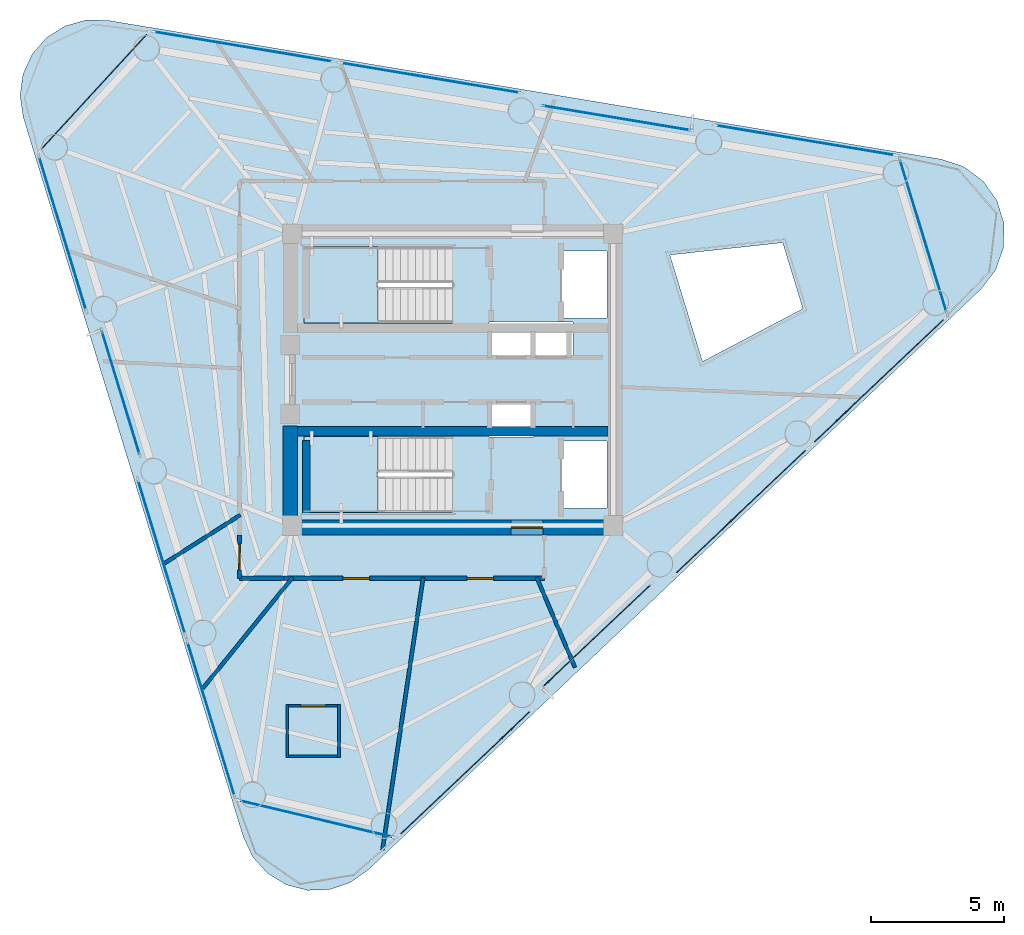
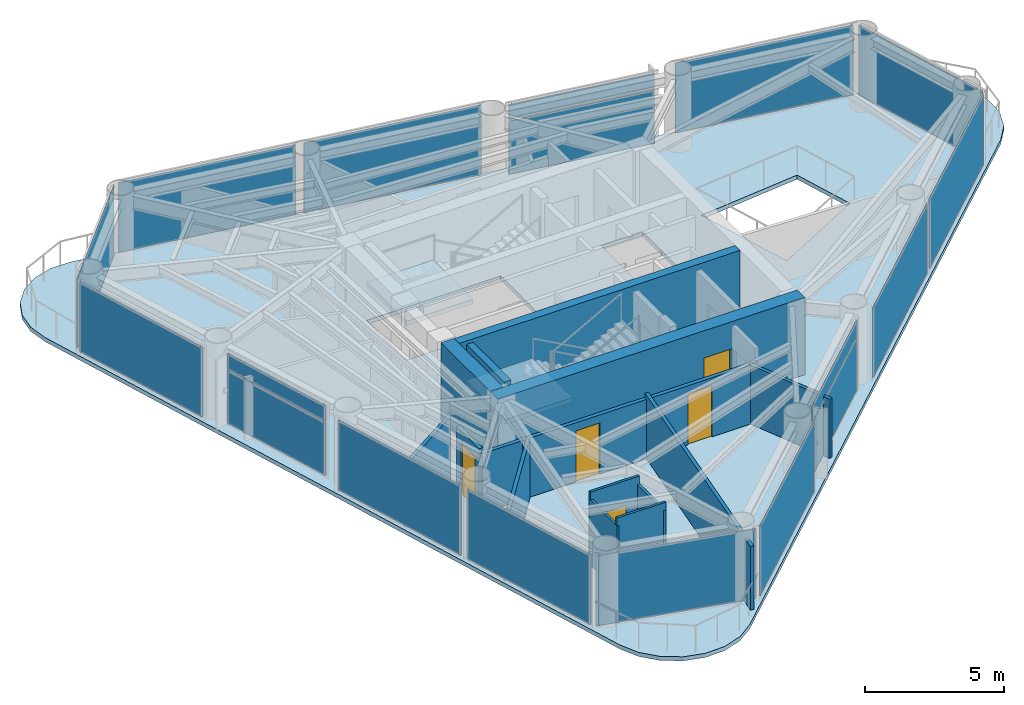
# One storey, part 4 of 8: 18 plates, 15 walls, 5 doors, 3 slabs, 5 openings, 17 elements without a shape of their own.
"""IFC4 building model written with IfcOpenShell, lengths in metres."""

from ifc_helpers import new_model, si_unit, direction, frame, frame_2d, origin, origin_2d, place, context, subcontext, project, spatial, polyline, rectangle, outline, extrude, source, transform, mapped, material, layer, layer_set, type_object, element, fill, aggregate, save


model = new_model("IFC4")

# Units and contexts
model_context = context("Model", 3, precision=1e-05, world=origin(), true_north=direction((0.0, 1.0)))
body_context = subcontext(model_context, "Body", "Model", "MODEL_VIEW")
ifc_project = project(units=[si_unit("LENGTHUNIT", "METRE"), si_unit("AREAUNIT", "SQUARE_METRE"), si_unit("VOLUMEUNIT", "CUBIC_METRE"), si_unit("PLANEANGLEUNIT", "RADIAN"), si_unit("MASSUNIT", "GRAM", prefix="KILO")], contexts=[model_context])

# Site, building, storey
site_placement = place(None, origin())
site = spatial("IfcSite", under=ifc_project, at=site_placement, CompositionType="ELEMENT")
building_placement = place(site_placement, origin())
building = spatial("IfcBuilding", under=site, at=building_placement, Name="Yunling Apex Tower", CompositionType="ELEMENT")
storey_placement = place(building_placement, frame((0.0, 0.0, 235.449951171875)))
storey = spatial("IfcBuildingStorey", under=building, at=storey_placement, Name="L57", CompositionType="ELEMENT", Elevation=235.449951171875)

# Slab
ifc_material_1 = material(Name="Concrete C40", Category="concrete")
ifc_layer_1 = layer(ifc_material_1, 0.155029296875)
ifc_layer_set_1 = layer_set([ifc_layer_1], Name="Concrete C40")
slab_type_1 = type_object("IfcSlabType", Name="SL-FLR-3", PredefinedType="FLOOR", material=ifc_layer_set_1)
slab_1_placement = place(storey_placement, frame((0.0, 0.0, -0.179931640625)))
element("IfcSlab", 1, at=slab_1_placement, inside=storey, type_object=slab_type_1, Name="L57 Composite Tower Floor Slab", PredefinedType="FLOOR", context=body_context, shape_type="SweptSolid", body=[
    extrude(outline(polyline([(-7.894287109375, -17.243408203125), (-7.54052734375, -17.991455078125), (-6.9873046875, -18.60693359375), (-6.281005859375, -19.0380859375), (-5.480712890625, -19.249267578125), (-4.65380859375, -19.22216796875), (-3.868896484375, -18.959716796875), (-3.192138671875, -18.483154296875), (19.91064453125, 3.409912109375), (20.459716796875, 4.126220703125), (20.7578125, 4.977783203125), (20.776123046875, 5.880126953125), (20.51220703125, 6.7431640625), (19.99267578125, 7.48095703125), (19.26904296875, 8.02001953125), (18.41357421875, 8.306884765625), (-12.982177734375, 13.538330078125), (-13.8095703125, 13.5546875), (-14.60693359375, 13.33349609375), (-15.307861328125, 12.8935546875), (-15.853271484375, 12.27099609375), (-16.197509765625, 11.5185546875), (-16.31201171875, 10.698974609375), (-16.187255859375, 9.881103515625), (-7.894287109375, -17.243408203125)]), holes=[polyline([(8.18408203125, 4.697998046875), (12.434326171875, 5.160888671875), (13.194580078125, 2.674560546875), (9.412109375, 0.681640625), (8.18408203125, 4.697998046875)]), polyline([(4.090087890625, -2.320068359375), (5.81005859375, -2.320068359375), (5.81005859375, -4.840087890625), (4.090087890625, -4.840087890625), (4.090087890625, -2.320068359375)]), polyline([(4.090087890625, 4.840087890625), (5.81005859375, 4.840087890625), (5.81005859375, 2.320068359375), (4.090087890625, 2.320068359375), (4.090087890625, 4.840087890625)]), polyline([(1.364990234375, 0.794921875), (1.364990234375, 2.1650390625), (4.534912109375, 2.1650390625), (4.534912109375, 0.794921875), (1.364990234375, 0.794921875)]), polyline([(1.364990234375, -0.794921875), (3.034912109375, -0.794921875), (3.034912109375, -2.1650390625), (1.364990234375, -2.1650390625), (1.364990234375, -0.794921875)]), polyline([(-0.010009765625, -5.010009765625), (-5.60009765625, -5.010009765625), (-5.60009765625, -2.139892578125), (-0.010009765625, -2.139892578125), (-0.010009765625, -5.010009765625)]), polyline([(-0.010009765625, 2.139892578125), (-5.60009765625, 2.139892578125), (-5.60009765625, 5.010009765625), (-0.010009765625, 5.010009765625), (-0.010009765625, 2.139892578125)])]), origin(), (0.0, 0.0, 1.0), 0.179931640625),
])

# Stair, slab
stair_type = type_object("IfcStairType", Name="ST-TWR-3", PredefinedType="HALF_TURN_STAIR", material=ifc_material_1)
stair_1_placement = place(storey_placement, origin())
stair_1 = element("IfcStair", 2, at=stair_1_placement, inside=storey, type_object=stair_type, Name="L57 North Core Smokeproof Exit Stair ST-1", PredefinedType="HALF_TURN_STAIR")
ifc_layer_2 = layer(ifc_material_1, 0.195068359375)
ifc_layer_set_2 = layer_set([ifc_layer_2], Name="Concrete C40")
slab_type_2 = type_object("IfcSlabType", Name="SL-LND-1", PredefinedType="LANDING", material=ifc_layer_set_2)
slab_2_placement = place(storey_placement, frame((0.0, 0.0, 1.505126953125)))
slab_2 = element("IfcSlab", 3, at=slab_2_placement, type_object=slab_type_2, Name="ST-1 landing 1", PredefinedType="LANDING", context=body_context, shape_type="SweptSolid", body=[
    extrude(outline(polyline([(-2.81005859375, 5.010009765625), (-5.60009765625, 5.010009765625), (-5.60009765625, 2.139892578125), (-2.81005859375, 2.139892578125), (-2.81005859375, 5.010009765625)])), origin(), (0.0, 0.0, 1.0), 0.19482421875),
])
aggregate(stair_1, [slab_2])

stair_2_placement = place(storey_placement, origin())
stair_2 = element("IfcStair", 4, at=stair_2_placement, inside=storey, type_object=stair_type, Name="L57 South Core Smokeproof Exit Stair ST-2", PredefinedType="HALF_TURN_STAIR")
slab_3_placement = place(storey_placement, frame((0.0, 0.0, 1.505126953125)))
slab_3 = element("IfcSlab", 5, at=slab_3_placement, type_object=slab_type_2, Name="ST-2 landing 1", PredefinedType="LANDING", context=body_context, shape_type="SweptSolid", body=[
    extrude(outline(polyline([(-2.81005859375, -2.139892578125), (-5.60009765625, -2.139892578125), (-5.60009765625, -5.010009765625), (-2.81005859375, -5.010009765625), (-2.81005859375, -2.139892578125)])), origin(), (0.0, 0.0, 1.0), 0.19482421875),
])
aggregate(stair_2, [slab_3])

# Curtain wall, plate
ifc_material_2 = material(Name="Bronze anodised aluminium", Category="aluminium")
ifc_layer_3 = layer(ifc_material_2, 0.219970703125)
ifc_layer_set_3 = layer_set([ifc_layer_3], Name="Bronze anodised aluminium")
curtain_wall_type = type_object("IfcCurtainWallType", Name="CW-SYS-4", PredefinedType="NOTDEFINED", material=ifc_layer_set_3)
curtain_wall_1_placement = place(storey_placement, origin())
curtain_wall_1 = element("IfcCurtainWall", 6, at=curtain_wall_1_placement, inside=storey, type_object=curtain_wall_type, Name="CW-L57-F1-B2", PredefinedType="NOTDEFINED")
ifc_material_3 = material(Name="Bronze tinted low-E glass", Category="glass")
ifc_layer_4 = layer(ifc_material_3, 0.030029296875)
ifc_layer_set_4 = layer_set([ifc_layer_4], Name="Bronze tinted low-E glass")
plate_type = type_object("IfcPlateType", Name="CW-PNL-4", PredefinedType="CURTAIN_PANEL", material=ifc_layer_set_4)
shared_shape_1 = source(origin(), body_context, "Body", "SweptSolid", [
    extrude(rectangle(XDim=5.617431640625, YDim=0.030029296875, at=origin_2d()), origin(), (0.0, 0.0, 1.0), 2.34326171875),
])
plate_1_placement = place(storey_placement, frame((5.429931640625, -9.651123046875, 0.072021484375), z_axis=(0.0, 0.0, 1.0), x_axis=(0.725848686167, 0.687854406681, 0.0)))
plate_1 = element("IfcPlate", 7, at=plate_1_placement, type_object=plate_type, Name="CW-SYS-4 panel 1.1", PredefinedType="CURTAIN_PANEL", context=body_context, shape_type="MappedRepresentation", body=[
    mapped(shared_shape_1, transform((0.0, 0.0, 0.0), scale=1.0)),
])

curtain_wall_2_placement = place(storey_placement, origin())
curtain_wall_2 = element("IfcCurtainWall", 8, at=curtain_wall_2_placement, inside=storey, type_object=curtain_wall_type, Name="CW-L57-F2-B2", PredefinedType="NOTDEFINED")
plate_2_placement = place(storey_placement, frame((6.168701171875, 9.860595703125, 0.072021484375), z_axis=(0.0, 0.0, 1.0), x_axis=(-0.986398614513, 0.164370840747, 0.0)))
plate_2 = element("IfcPlate", 9, at=plate_2_placement, type_object=plate_type, Name="CW-SYS-4 panel 1.1", PredefinedType="CURTAIN_PANEL", context=body_context, shape_type="MappedRepresentation", body=[
    mapped(shared_shape_1, transform((0.0, 0.0, 0.0), scale=1.0)),
])

# Plate
shared_shape_2 = source(origin(), body_context, "Body", "SweptSolid", [
    extrude(rectangle(XDim=5.617431640625, YDim=0.030029296875, at=origin_2d()), origin(), (0.0, 0.0, 1.0), 0.668701171875),
])
plate_3_placement = place(storey_placement, frame((5.429931640625, -9.651123046875, 2.4794921875), z_axis=(0.0, 0.0, 1.0), x_axis=(0.725848686167, 0.687854406681, 0.0)))
plate_3 = element("IfcPlate", 10, at=plate_3_placement, type_object=plate_type, Name="CW-SYS-4 panel 1.2", PredefinedType="CURTAIN_PANEL", context=body_context, shape_type="MappedRepresentation", body=[
    mapped(shared_shape_2, transform((0.0, 0.0, 0.0), scale=1.0)),
])

aggregate(curtain_wall_1, [plate_1, plate_3])

plate_4_placement = place(storey_placement, frame((6.168701171875, 9.860595703125, 2.4794921875), z_axis=(0.0, 0.0, 1.0), x_axis=(-0.986398614513, 0.164370840747, 0.0)))
plate_4 = element("IfcPlate", 11, at=plate_4_placement, type_object=plate_type, Name="CW-SYS-4 panel 1.2", PredefinedType="CURTAIN_PANEL", context=body_context, shape_type="MappedRepresentation", body=[
    mapped(shared_shape_2, transform((0.0, 0.0, 0.0), scale=1.0)),
])

aggregate(curtain_wall_2, [plate_2, plate_4])

# Curtain wall, plate
curtain_wall_3_placement = place(storey_placement, origin())
curtain_wall_3 = element("IfcCurtainWall", 12, at=curtain_wall_3_placement, inside=storey, type_object=curtain_wall_type, Name="CW-L57-F1-B1", PredefinedType="NOTDEFINED")
shared_shape_3 = source(origin(), body_context, "Body", "SweptSolid", [
    extrude(rectangle(XDim=6.857421875, YDim=0.030029296875, at=origin_2d()), origin(), (0.0, 0.0, 1.0), 3.075927734375),
])
plate_5_placement = place(storey_placement, frame((0.4658203125, -14.823974609375, 0.072265625), z_axis=(0.0, 0.0, 1.0), x_axis=(0.72585471909, 0.687848040467, 0.0)))
plate_5 = element("IfcPlate", 13, at=plate_5_placement, type_object=plate_type, Name="CW-SYS-4 panel 1.1", PredefinedType="CURTAIN_PANEL", context=body_context, shape_type="MappedRepresentation", body=[
    mapped(shared_shape_3, transform((0.0, 0.0, 0.0), scale=1.0)),
])
aggregate(curtain_wall_3, [plate_5])

curtain_wall_4_placement = place(storey_placement, origin())
curtain_wall_4 = element("IfcCurtainWall", 14, at=curtain_wall_4_placement, inside=storey, type_object=curtain_wall_type, Name="CW-L57-F1-B3", PredefinedType="NOTDEFINED")
plate_6_placement = place(storey_placement, frame((10.862060546875, -4.97216796875, 0.072265625), z_axis=(0.0, 0.0, 1.0), x_axis=(0.72585471909, 0.687848040467, 0.0)))
plate_6 = element("IfcPlate", 15, at=plate_6_placement, type_object=plate_type, Name="CW-SYS-4 panel 1.1", PredefinedType="CURTAIN_PANEL", context=body_context, shape_type="MappedRepresentation", body=[
    mapped(shared_shape_3, transform((0.0, 0.0, 0.0), scale=1.0)),
])
aggregate(curtain_wall_4, [plate_6])

curtain_wall_5_placement = place(storey_placement, origin())
curtain_wall_5 = element("IfcCurtainWall", 16, at=curtain_wall_5_placement, inside=storey, type_object=curtain_wall_type, Name="CW-L57-F1-B4", PredefinedType="NOTDEFINED")
plate_7_placement = place(storey_placement, frame((16.060302734375, -0.046142578125, 0.072265625), z_axis=(0.0, 0.0, 1.0), x_axis=(0.72585471909, 0.687848040467, 0.0)))
plate_7 = element("IfcPlate", 17, at=plate_7_placement, type_object=plate_type, Name="CW-SYS-4 panel 1.1", PredefinedType="CURTAIN_PANEL", context=body_context, shape_type="MappedRepresentation", body=[
    mapped(shared_shape_3, transform((0.0, 0.0, 0.0), scale=1.0)),
])
aggregate(curtain_wall_5, [plate_7])

curtain_wall_6_placement = place(storey_placement, origin())
curtain_wall_6 = element("IfcCurtainWall", 18, at=curtain_wall_6_placement, inside=storey, type_object=curtain_wall_type, Name="CW-L57-F2-B1", PredefinedType="NOTDEFINED")
plate_8_placement = place(storey_placement, frame((13.288818359375, 9.01904296875, 0.072265625), z_axis=(0.0, 0.0, 1.0), x_axis=(-0.9864016432, 0.164352664392, 0.0)))
plate_8 = element("IfcPlate", 19, at=plate_8_placement, type_object=plate_type, Name="CW-SYS-4 panel 1.1", PredefinedType="CURTAIN_PANEL", context=body_context, shape_type="MappedRepresentation", body=[
    mapped(shared_shape_3, transform((0.0, 0.0, 0.0), scale=1.0)),
])
aggregate(curtain_wall_6, [plate_8])

curtain_wall_7_placement = place(storey_placement, origin())
curtain_wall_7 = element("IfcCurtainWall", 20, at=curtain_wall_7_placement, inside=storey, type_object=curtain_wall_type, Name="CW-L57-F2-B3", PredefinedType="NOTDEFINED")
plate_9_placement = place(storey_placement, frame((-0.83935546875, 11.373046875, 0.072265625), z_axis=(0.0, 0.0, 1.0), x_axis=(-0.9864016432, 0.164352664392, 0.0)))
plate_9 = element("IfcPlate", 21, at=plate_9_placement, type_object=plate_type, Name="CW-SYS-4 panel 1.1", PredefinedType="CURTAIN_PANEL", context=body_context, shape_type="MappedRepresentation", body=[
    mapped(shared_shape_3, transform((0.0, 0.0, 0.0), scale=1.0)),
])
aggregate(curtain_wall_7, [plate_9])

curtain_wall_8_placement = place(storey_placement, origin())
curtain_wall_8 = element("IfcCurtainWall", 22, at=curtain_wall_8_placement, inside=storey, type_object=curtain_wall_type, Name="CW-L57-F2-B4", PredefinedType="NOTDEFINED")
plate_10_placement = place(storey_placement, frame((-7.9033203125, 12.550048828125, 0.072265625), z_axis=(0.0, 0.0, 1.0), x_axis=(-0.9864016432, 0.164352664392, 0.0)))
plate_10 = element("IfcPlate", 23, at=plate_10_placement, type_object=plate_type, Name="CW-SYS-4 panel 1.1", PredefinedType="CURTAIN_PANEL", context=body_context, shape_type="MappedRepresentation", body=[
    mapped(shared_shape_3, transform((0.0, 0.0, 0.0), scale=1.0)),
])
aggregate(curtain_wall_8, [plate_10])

curtain_wall_9_placement = place(storey_placement, origin())
curtain_wall_9 = element("IfcCurtainWall", 24, at=curtain_wall_9_placement, inside=storey, type_object=curtain_wall_type, Name="CW-L57-CRN1", PredefinedType="NOTDEFINED")
shared_shape_4 = source(origin(), body_context, "Body", "SweptSolid", [
    extrude(rectangle(XDim=6.108642578125, YDim=0.030029296875, at=origin_2d()), origin(), (0.0, 0.0, 1.0), 3.075927734375),
])
plate_11_placement = place(storey_placement, frame((17.7314453125, 5.421142578125, 0.072265625), z_axis=(0.0, 0.0, 1.0), x_axis=(-0.292369275379, 0.956305498685, 0.0)))
plate_11 = element("IfcPlate", 25, at=plate_11_placement, type_object=plate_type, Name="CW-SYS-4 panel 1.1", PredefinedType="CURTAIN_PANEL", context=body_context, shape_type="MappedRepresentation", body=[
    mapped(shared_shape_4, transform((0.0, 0.0, 0.0), scale=1.0)),
])
aggregate(curtain_wall_9, [plate_11])

curtain_wall_10_placement = place(storey_placement, origin())
curtain_wall_10 = element("IfcCurtainWall", 26, at=curtain_wall_10_placement, inside=storey, type_object=curtain_wall_type, Name="CW-L57-CRN2", PredefinedType="NOTDEFINED")
shared_shape_5 = source(origin(), body_context, "Body", "SweptSolid", [
    extrude(rectangle(XDim=6.033203125, YDim=0.030029296875, at=origin_2d()), origin(), (0.0, 0.0, 1.0), 3.075927734375),
])
plate_12_placement = place(storey_placement, frame((-13.529052734375, 10.84521484375, 0.072265625), z_axis=(0.0, 0.0, 1.0), x_axis=(-0.676835909266, -0.736133922549, 0.0)))
plate_12 = element("IfcPlate", 27, at=plate_12_placement, type_object=plate_type, Name="CW-SYS-4 panel 1.1", PredefinedType="CURTAIN_PANEL", context=body_context, shape_type="MappedRepresentation", body=[
    mapped(shared_shape_5, transform((0.0, 0.0, 0.0), scale=1.0)),
])
aggregate(curtain_wall_10, [plate_12])

curtain_wall_11_placement = place(storey_placement, origin())
curtain_wall_11 = element("IfcCurtainWall", 28, at=curtain_wall_11_placement, inside=storey, type_object=curtain_wall_type, Name="CW-L57-F3-B1", PredefinedType="NOTDEFINED")
shared_shape_6 = source(origin(), body_context, "Body", "SweptSolid", [
    extrude(rectangle(XDim=6.077880859375, YDim=0.030029296875, at=origin_2d()), origin(), (0.0, 0.0, 1.0), 3.075927734375),
])
plate_13_placement = place(storey_placement, frame((-14.705810546875, 5.51416015625, 0.072265625), z_axis=(0.0, 0.0, 1.0), x_axis=(0.29237206414, -0.956304646078, 0.0)))
plate_13 = element("IfcPlate", 29, at=plate_13_placement, type_object=plate_type, Name="CW-SYS-4 panel 1.1", PredefinedType="CURTAIN_PANEL", context=body_context, shape_type="MappedRepresentation", body=[
    mapped(shared_shape_6, transform((0.0, 0.0, 0.0), scale=1.0)),
])
aggregate(curtain_wall_11, [plate_13])

curtain_wall_12_placement = place(storey_placement, origin())
curtain_wall_12 = element("IfcCurtainWall", 30, at=curtain_wall_12_placement, inside=storey, type_object=curtain_wall_type, Name="CW-L57-F3-B3", PredefinedType="NOTDEFINED")
plate_14_placement = place(storey_placement, frame((-10.973876953125, -6.69189453125, 0.072265625), z_axis=(0.0, 0.0, 1.0), x_axis=(0.29237206414, -0.956304646078, 0.0)))
plate_14 = element("IfcPlate", 31, at=plate_14_placement, type_object=plate_type, Name="CW-SYS-4 panel 1.1", PredefinedType="CURTAIN_PANEL", context=body_context, shape_type="MappedRepresentation", body=[
    mapped(shared_shape_6, transform((0.0, 0.0, 0.0), scale=1.0)),
])
aggregate(curtain_wall_12, [plate_14])

curtain_wall_13_placement = place(storey_placement, origin())
curtain_wall_13 = element("IfcCurtainWall", 32, at=curtain_wall_13_placement, inside=storey, type_object=curtain_wall_type, Name="CW-L57-F3-B4", PredefinedType="NOTDEFINED")
plate_15_placement = place(storey_placement, frame((-9.108154296875, -12.794921875, 0.072265625), z_axis=(0.0, 0.0, 1.0), x_axis=(0.29237206414, -0.956304646078, 0.0)))
plate_15 = element("IfcPlate", 33, at=plate_15_placement, type_object=plate_type, Name="CW-SYS-4 panel 1.1", PredefinedType="CURTAIN_PANEL", context=body_context, shape_type="MappedRepresentation", body=[
    mapped(shared_shape_6, transform((0.0, 0.0, 0.0), scale=1.0)),
])
aggregate(curtain_wall_13, [plate_15])

# Curtain wall, plates
curtain_wall_14_placement = place(storey_placement, origin())
curtain_wall_14 = element("IfcCurtainWall", 34, at=curtain_wall_14_placement, inside=storey, type_object=curtain_wall_type, Name="CW-L57-F3-B2", PredefinedType="NOTDEFINED")
shared_shape_7 = source(origin(), body_context, "Body", "SweptSolid", [
    extrude(rectangle(XDim=4.837890625, YDim=0.030029296875, at=origin_2d()), origin(), (0.0, 0.0, 1.0), 2.34326171875),
])
plate_16_placement = place(storey_placement, frame((-12.5146484375, -0.489501953125, 0.072021484375), z_axis=(0.0, 0.0, 1.0), x_axis=(0.29237304737, -0.956304345474, 0.0)))
plate_16 = element("IfcPlate", 35, at=plate_16_placement, type_object=plate_type, Name="CW-SYS-4 panel 1.1", PredefinedType="CURTAIN_PANEL", context=body_context, shape_type="MappedRepresentation", body=[
    mapped(shared_shape_7, transform((0.0, 0.0, 0.0), scale=1.0)),
])
shared_shape_8 = source(origin(), body_context, "Body", "SweptSolid", [
    extrude(rectangle(XDim=4.837890625, YDim=0.030029296875, at=origin_2d()), origin(), (0.0, 0.0, 1.0), 0.668701171875),
])
plate_17_placement = place(storey_placement, frame((-12.5146484375, -0.489501953125, 2.4794921875), z_axis=(0.0, 0.0, 1.0), x_axis=(0.29237304737, -0.956304345474, 0.0)))
plate_17 = element("IfcPlate", 36, at=plate_17_placement, type_object=plate_type, Name="CW-SYS-4 panel 1.2", PredefinedType="CURTAIN_PANEL", context=body_context, shape_type="MappedRepresentation", body=[
    mapped(shared_shape_8, transform((0.0, 0.0, 0.0), scale=1.0)),
])
aggregate(curtain_wall_14, [plate_16, plate_17])

# Curtain wall, plate
curtain_wall_15_placement = place(storey_placement, origin())
curtain_wall_15 = element("IfcCurtainWall", 37, at=curtain_wall_15_placement, inside=storey, type_object=curtain_wall_type, Name="CW-L57-CRN3", PredefinedType="NOTDEFINED")
shared_shape_9 = source(origin(), body_context, "Body", "SweptSolid", [
    extrude(rectangle(XDim=6.032958984375, YDim=0.030029296875, at=origin_2d()), origin(), (0.0, 0.0, 1.0), 3.075927734375),
])
plate_18_placement = place(storey_placement, frame((-5.151611328125, -16.556396484375, 0.072265625), z_axis=(0.0, 0.0, 1.0), x_axis=(0.97276120775, -0.231809474992, 0.0)))
plate_18 = element("IfcPlate", 38, at=plate_18_placement, type_object=plate_type, Name="CW-SYS-4 panel 1.1", PredefinedType="CURTAIN_PANEL", context=body_context, shape_type="MappedRepresentation", body=[
    mapped(shared_shape_9, transform((0.0, 0.0, 0.0), scale=1.0)),
])
aggregate(curtain_wall_15, [plate_18])

# Wall, opening, door
ifc_layer_5 = layer(ifc_material_1, 0.550048828125)
ifc_layer_set_5 = layer_set([ifc_layer_5], Name="Concrete C40")
wall_type_1 = type_object("IfcWallType", Name="WL-COR-3", PredefinedType="SHEAR", material=ifc_layer_set_5)
wall_1_placement = place(storey_placement, frame((-6.39990234375, -5.574951171875, 0.0), z_axis=(0.0, 0.0, 1.0), x_axis=(1.0, 0.0, 0.0)))
wall_1 = element("IfcWall", 39, at=wall_1_placement, inside=storey, type_object=wall_type_1, Name="L57 South Core Shear Wall", PredefinedType="SHEAR", context=body_context, shape_type="SweptSolid", body=[
    extrude(rectangle(XDim=12.7998046875, YDim=0.550048828125, at=frame_2d((6.39990234375, 0.0))), origin(), (0.0, 0.0, 1.0), 3.400146484375),
])
opening_1_placement = place(wall_1_placement, frame((8.60009765625, 0.0, 0.0)))
opening_1 = element("IfcOpeningElement", 40, at=opening_1_placement, cuts=wall_1, Name="Opening DR-FFL-1", PredefinedType="OPENING", context=body_context, shape_type="SweptSolid", body=[
    extrude(rectangle(XDim=1.199951171875, YDim=2.199951171875, at=frame_2d((0.60009765625, 1.10009765625))), frame((0.0, 0.28515625, 0.0), z_axis=(0.0, -1.0, 0.0), x_axis=(1.0, 0.0, 0.0)), (0.0, 0.0, 1.0), 0.570068359375),
])
ifc_material_4 = material(Name="Steel Q355B", Category="steel")
door_type_1 = type_object("IfcDoorType", Name="DR-FFL-1", OperationType="NOTDEFINED", PredefinedType="DOOR", material=ifc_material_4)
door_1_placement = place(opening_1_placement, origin())
door_1 = element("IfcDoor", 41, at=door_1_placement, inside=storey, type_object=door_type_1, Name="L57 South Firefighting Lobby Door", OperationType="SINGLE_SWING_RIGHT", OverallHeight=2.199951171875, OverallWidth=1.199951171875, PredefinedType="DOOR", context=body_context, shape_type="SweptSolid", body=[
    extrude(rectangle(XDim=1.199951171875, YDim=2.199951171875, at=frame_2d((0.60009765625, 1.10009765625))), frame((0.0, 0.02490234375, 0.0), z_axis=(0.0, -1.0, 0.0), x_axis=(1.0, 0.0, 0.0)), (0.0, 0.0, 1.0), 0.050048828125),
])
fill(opening_1, door_1)

# Walls
wall_2_placement = place(storey_placement, frame((-6.125, -5.300048828125, 0.0), z_axis=(0.0, 0.0, 1.0), x_axis=(0.0, 1.0, 0.0)))
element("IfcWall", 42, at=wall_2_placement, inside=storey, type_object=wall_type_1, Name="L57 West-South Core Shear Wall", PredefinedType="SHEAR", context=body_context, shape_type="SweptSolid", body=[
    extrude(rectangle(XDim=3.550048828125, YDim=0.550048828125, at=frame_2d((1.77490234375, 0.0))), origin(), (0.0, 0.0, 1.0), 3.400146484375),
])
ifc_layer_6 = layer(ifc_material_1, 0.360107421875)
ifc_layer_set_6 = layer_set([ifc_layer_6], Name="Concrete C40")
wall_type_2 = type_object("IfcWallType", Name="WL-COR-4", PredefinedType="SHEAR", material=ifc_layer_set_6)
wall_3_placement = place(storey_placement, frame((-5.85009765625, -1.93994140625, 0.0), z_axis=(0.0, 0.0, 1.0), x_axis=(1.0, 0.0, 0.0)))
element("IfcWall", 43, at=wall_3_placement, inside=storey, type_object=wall_type_2, Name="L57 South Internal Core Shear Wall", PredefinedType="SHEAR", context=body_context, shape_type="SweptSolid", body=[
    extrude(rectangle(XDim=11.7001953125, YDim=0.360107421875, at=frame_2d((5.85009765625, 0.0))), origin(), (0.0, 0.0, 1.0), 3.400146484375),
])
ifc_layer_7 = layer(ifc_material_1, 0.280029296875)
ifc_layer_set_7 = layer_set([ifc_layer_7], Name="Concrete C40")
wall_type_3 = type_object("IfcWallType", Name="WL-COR-8", PredefinedType="SHEAR", material=ifc_layer_set_7)
wall_4_placement = place(storey_placement, frame((-5.52001953125, -5.050048828125, 0.0), z_axis=(0.0, 0.0, 1.0), x_axis=(0.0, 1.0, 0.0)))
element("IfcWall", 44, at=wall_4_placement, inside=storey, type_object=wall_type_3, Name="L57 ST-2 West Landing Bearing Wall", PredefinedType="SHEAR", context=body_context, shape_type="SweptSolid", body=[
    extrude(rectangle(XDim=2.75, YDim=0.280029296875, at=frame_2d((1.375, 0.0))), origin(), (0.0, 0.0, 1.0), 3.400146484375),
])

# Wall, openings, doors
ifc_material_5 = material(Name="Gypsum board acoustic partition")
ifc_layer_8 = layer(ifc_material_5, 0.159912109375)
ifc_layer_set_8 = layer_set([ifc_layer_8], Name="Gypsum board acoustic partition")
wall_type_4 = type_object("IfcWallType", Name="WL-PRT-1", PredefinedType="PARTITIONING", material=ifc_layer_set_8)
wall_5_placement = place(storey_placement, frame((3.449951171875, -7.489990234375, 0.0), z_axis=(0.0, 0.0, 1.0), x_axis=(-1.0, 0.0, 0.0)))
wall_5 = element("IfcWall", 45, at=wall_5_placement, inside=storey, type_object=wall_type_4, Name="WL-CORR-L57-06", PredefinedType="PARTITIONING", context=body_context, shape_type="SweptSolid", body=[
    extrude(rectangle(XDim=9.81005859375, YDim=0.159912109375, at=frame_2d((4.905029296875, 0.0))), origin(), (0.0, 0.0, 1.0), 2.60498046875),
])
opening_2_placement = place(wall_5_placement, frame((1.910888671875, 0.0, 0.0)))
opening_2 = element("IfcOpeningElement", 46, at=opening_2_placement, cuts=wall_5, Name="Opening DR-OFF-1", PredefinedType="OPENING", context=body_context, shape_type="SweptSolid", body=[
    extrude(rectangle(XDim=1.0, YDim=2.25, at=frame_2d((0.5, 1.125))), frame((0.0, 0.08984375, 0.0), z_axis=(0.0, -1.0, 0.0), x_axis=(1.0, 0.0, 0.0)), (0.0, 0.0, 1.0), 0.179931640625),
])
opening_3_placement = place(wall_5_placement, frame((6.58349609375, 0.0, 0.0)))
opening_3 = element("IfcOpeningElement", 47, at=opening_3_placement, cuts=wall_5, Name="Opening DR-OFF-1", PredefinedType="OPENING", context=body_context, shape_type="SweptSolid", body=[
    extrude(rectangle(XDim=1.0, YDim=2.25, at=frame_2d((0.5, 1.125))), frame((0.0, 0.08984375, 0.0), z_axis=(0.0, -1.0, 0.0), x_axis=(1.0, 0.0, 0.0)), (0.0, 0.0, 1.0), 0.179931640625),
])
door_type_2 = type_object("IfcDoorType", Name="DR-OFF-1", OperationType="NOTDEFINED", PredefinedType="DOOR", material=ifc_material_2)
door_2_placement = place(opening_2_placement, origin())
door_2 = element("IfcDoor", 48, at=door_2_placement, inside=storey, type_object=door_type_2, Name="L57 Residents Fitness Club Door", OperationType="SINGLE_SWING_RIGHT", OverallHeight=2.25, OverallWidth=1.0, PredefinedType="DOOR", context=body_context, shape_type="SweptSolid", body=[
    extrude(rectangle(XDim=1.0, YDim=2.25, at=frame_2d((0.5, 1.125))), frame((0.0, 0.02490234375, 0.0), z_axis=(0.0, -1.0, 0.0), x_axis=(1.0, 0.0, 0.0)), (0.0, 0.0, 1.0), 0.050048828125),
])
fill(opening_2, door_2)
door_3_placement = place(opening_3_placement, origin())
door_3 = element("IfcDoor", 49, at=door_3_placement, inside=storey, type_object=door_type_2, Name="L57 Residents Sky Reading Lounge Door", OperationType="SINGLE_SWING_LEFT", OverallHeight=2.25, OverallWidth=1.0, PredefinedType="DOOR", context=body_context, shape_type="SweptSolid", body=[
    extrude(rectangle(XDim=1.0, YDim=2.25, at=frame_2d((0.5, 1.125))), frame((0.0, 0.02490234375, 0.0), z_axis=(0.0, -1.0, 0.0), x_axis=(1.0, 0.0, 0.0)), (0.0, 0.0, 1.0), 0.050048828125),
])
fill(opening_3, door_3)

# Wall
wall_6_placement = place(storey_placement, frame((-6.360107421875, -7.489990234375, 0.0), z_axis=(0.0, 0.0, 1.0), x_axis=(-1.0, 0.0, 0.0)))
element("IfcWall", 50, at=wall_6_placement, inside=storey, type_object=wall_type_4, Name="WL-CORR-L57-07", PredefinedType="PARTITIONING", context=body_context, shape_type="SweptSolid", body=[
    extrude(rectangle(XDim=1.679931640625, YDim=0.159912109375, at=frame_2d((0.83984375, 0.0))), origin(), (0.0, 0.0, 1.0), 2.60498046875),
])

# Wall, opening, door
wall_7_placement = place(storey_placement, frame((-8.0400390625, -7.489990234375, 0.0), z_axis=(0.0, 0.0, 1.0), x_axis=(0.0, 1.0, 0.0)))
wall_7 = element("IfcWall", 51, at=wall_7_placement, inside=storey, type_object=wall_type_4, Name="WL-CORR-L57-08", PredefinedType="PARTITIONING", context=body_context, shape_type="SweptSolid", body=[
    extrude(rectangle(XDim=1.639892578125, YDim=0.159912109375, at=frame_2d((0.81982421875, 0.0))), origin(), (0.0, 0.0, 1.0), 2.804931640625),
])
opening_4_placement = place(wall_7_placement, frame((0.320068359375, 0.0, 0.0)))
opening_4 = element("IfcOpeningElement", 52, at=opening_4_placement, cuts=wall_7, Name="Opening DR-OFF-1", PredefinedType="OPENING", context=body_context, shape_type="SweptSolid", body=[
    extrude(rectangle(XDim=1.0, YDim=2.25, at=frame_2d((0.5, 1.125))), frame((0.0, 0.08984375, 0.0), z_axis=(0.0, -1.0, 0.0), x_axis=(1.0, 0.0, 0.0)), (0.0, 0.0, 1.0), 0.179931640625),
])
door_4_placement = place(opening_4_placement, origin())
door_4 = element("IfcDoor", 53, at=door_4_placement, inside=storey, type_object=door_type_2, Name="L57 Residents Fitness Club Door", OperationType="SINGLE_SWING_RIGHT", OverallHeight=2.25, OverallWidth=1.0, PredefinedType="DOOR", context=body_context, shape_type="SweptSolid", body=[
    extrude(rectangle(XDim=1.0, YDim=2.25, at=frame_2d((0.5, 1.125))), frame((0.0, 0.02490234375, 0.0), z_axis=(0.0, -1.0, 0.0), x_axis=(1.0, 0.0, 0.0)), (0.0, 0.0, 1.0), 0.050048828125),
])
fill(opening_4, door_4)

# Walls
ifc_layer_9 = layer(ifc_material_5, 0.139892578125)
ifc_layer_set_9 = layer_set([ifc_layer_9], Name="Gypsum board acoustic partition")
wall_type_5 = type_object("IfcWallType", Name="WL-PRT-2", PredefinedType="PARTITIONING", material=ifc_layer_set_9)
wall_8_placement = place(storey_placement, frame((-8.0, -5.0966796875, 0.0), z_axis=(0.0, 0.0, 1.0), x_axis=(-0.843391828446, -0.537299007733, 0.0)))
element("IfcWall", 54, at=wall_8_placement, inside=storey, type_object=wall_type_5, Name="WL-RAD-L57-07", PredefinedType="PARTITIONING", context=body_context, shape_type="SweptSolid", body=[
    extrude(rectangle(XDim=3.393798828125, YDim=0.139892578125, at=frame_2d((1.69677734375, 0.0))), origin(), (0.0, 0.0, 1.0), 2.76513671875),
])
wall_9_placement = place(storey_placement, frame((-6.032958984375, -7.449951171875, 0.0), z_axis=(0.0, 0.0, 1.0), x_axis=(-0.629318234002, -0.777147708195, 0.0)))
element("IfcWall", 55, at=wall_9_placement, inside=storey, type_object=wall_type_5, Name="WL-RAD-L57-08", PredefinedType="PARTITIONING", context=body_context, shape_type="SweptSolid", body=[
    extrude(rectangle(XDim=5.3837890625, YDim=0.139892578125, at=frame_2d((2.69189453125, 0.0))), origin(), (0.0, 0.0, 1.0), 2.60498046875),
])
wall_10_placement = place(storey_placement, frame((-1.11328125, -7.449951171875, 0.0), z_axis=(0.0, 0.0, 1.0), x_axis=(-0.147817313856, -0.989014682259, 0.0)))
element("IfcWall", 56, at=wall_10_placement, inside=storey, type_object=wall_type_5, Name="WL-RAD-L57-09", PredefinedType="PARTITIONING", context=body_context, shape_type="SweptSolid", body=[
    extrude(rectangle(XDim=10.3837890625, YDim=0.139892578125, at=frame_2d((5.19189453125, 0.0))), origin(), (0.0, 0.0, 1.0), 2.804931640625),
])
wall_11_placement = place(storey_placement, frame((3.162353515625, -7.449951171875, 0.0), z_axis=(0.0, 0.0, 1.0), x_axis=(0.39072313519, -0.920508246366, 0.0)))
element("IfcWall", 57, at=wall_11_placement, inside=storey, type_object=wall_type_5, Name="WL-RAD-L57-10", PredefinedType="PARTITIONING", context=body_context, shape_type="SweptSolid", body=[
    extrude(rectangle(XDim=3.6904296875, YDim=0.139892578125, at=frame_2d((1.84521484375, 0.0))), origin(), (0.0, 0.0, 1.0), 2.60498046875),
])

# Wall, opening, door
ifc_layer_10 = layer(ifc_material_5, 0.10009765625)
ifc_layer_set_10 = layer_set([ifc_layer_10], Name="Gypsum board acoustic partition")
wall_type_6 = type_object("IfcWallType", Name="WL-PRT-4", PredefinedType="PARTITIONING", material=ifc_layer_set_10)
wall_12_placement = place(storey_placement, frame((-6.285888671875, -12.298095703125, 0.0), z_axis=(0.0, 0.0, 1.0), x_axis=(1.0, 0.0, 0.0)))
wall_12 = element("IfcWall", 58, at=wall_12_placement, inside=storey, type_object=wall_type_6, Name="WL-L57-RWC3N", PredefinedType="PARTITIONING", context=body_context, shape_type="SweptSolid", body=[
    extrude(rectangle(XDim=2.0498046875, YDim=0.10009765625, at=frame_2d((1.02490234375, 0.0))), origin(), (0.0, 0.0, 1.0), 3.199951171875),
])
opening_5_placement = place(wall_12_placement, frame((0.56494140625, 0.0, 0.0)))
opening_5 = element("IfcOpeningElement", 59, at=opening_5_placement, cuts=wall_12, Name="Opening DR-WC-1", PredefinedType="OPENING", context=body_context, shape_type="SweptSolid", body=[
    extrude(rectangle(XDim=0.919921875, YDim=2.10009765625, at=frame_2d((0.4599609375, 1.050048828125))), frame((0.0, 0.06005859375, 0.0), z_axis=(0.0, -1.0, 0.0), x_axis=(1.0, 0.0, 0.0)), (0.0, 0.0, 1.0), 0.1201171875),
])
ifc_material_6 = material(Name="Timber moisture-resistant leaf", Category="wood")
door_type_3 = type_object("IfcDoorType", Name="DR-WC-1", OperationType="NOTDEFINED", PredefinedType="DOOR", material=ifc_material_6)
door_5_placement = place(opening_5_placement, origin())
door_5 = element("IfcDoor", 60, at=door_5_placement, inside=storey, type_object=door_type_3, Name="L57 Accessible WC Door", OperationType="SINGLE_SWING_RIGHT", OverallHeight=2.10009765625, OverallWidth=0.919921875, PredefinedType="DOOR", context=body_context, shape_type="SweptSolid", body=[
    extrude(rectangle(XDim=0.919921875, YDim=2.10009765625, at=frame_2d((0.4599609375, 1.050048828125))), frame((0.0, 0.02490234375, 0.0), z_axis=(0.0, -1.0, 0.0), x_axis=(1.0, 0.0, 0.0)), (0.0, 0.0, 1.0), 0.050048828125),
])
fill(opening_5, door_5)

# Walls
wall_13_placement = place(storey_placement, frame((-4.236083984375, -14.197998046875, 0.0), z_axis=(0.0, 0.0, 1.0), x_axis=(-1.0, 0.0, 0.0)))
element("IfcWall", 61, at=wall_13_placement, inside=storey, type_object=wall_type_6, Name="WL-L57-RWC3S", PredefinedType="PARTITIONING", context=body_context, shape_type="SweptSolid", body=[
    extrude(rectangle(XDim=2.0498046875, YDim=0.10009765625, at=frame_2d((1.02490234375, 0.0))), origin(), (0.0, 0.0, 1.0), 3.199951171875),
])
for number, where, z_axis, x_axis, name in (
    (62, (-4.285888671875, -12.248046875, 0.0), (0.0, 0.0, 1.0), (0.0, -1.0, 0.0), "WL-L57-RWC3E"),
    (63, (-6.236083984375, -14.248046875, 0.0), (0.0, 0.0, 1.0), (0.0, 1.0, 0.0), "WL-L57-RWC3W"),
):
    element("IfcWall", number, at=place(storey_placement, frame(where, z_axis=z_axis, x_axis=x_axis)), inside=storey, type_object=wall_type_6, Name=name, PredefinedType="PARTITIONING", context=body_context, shape_type="SweptSolid", body=[
        extrude(rectangle(XDim=2.0, YDim=0.10009765625, at=frame_2d((1.0, 0.0))), origin(), (0.0, 0.0, 1.0), 2.85498046875),
    ])

save(model, "model.ifc")
